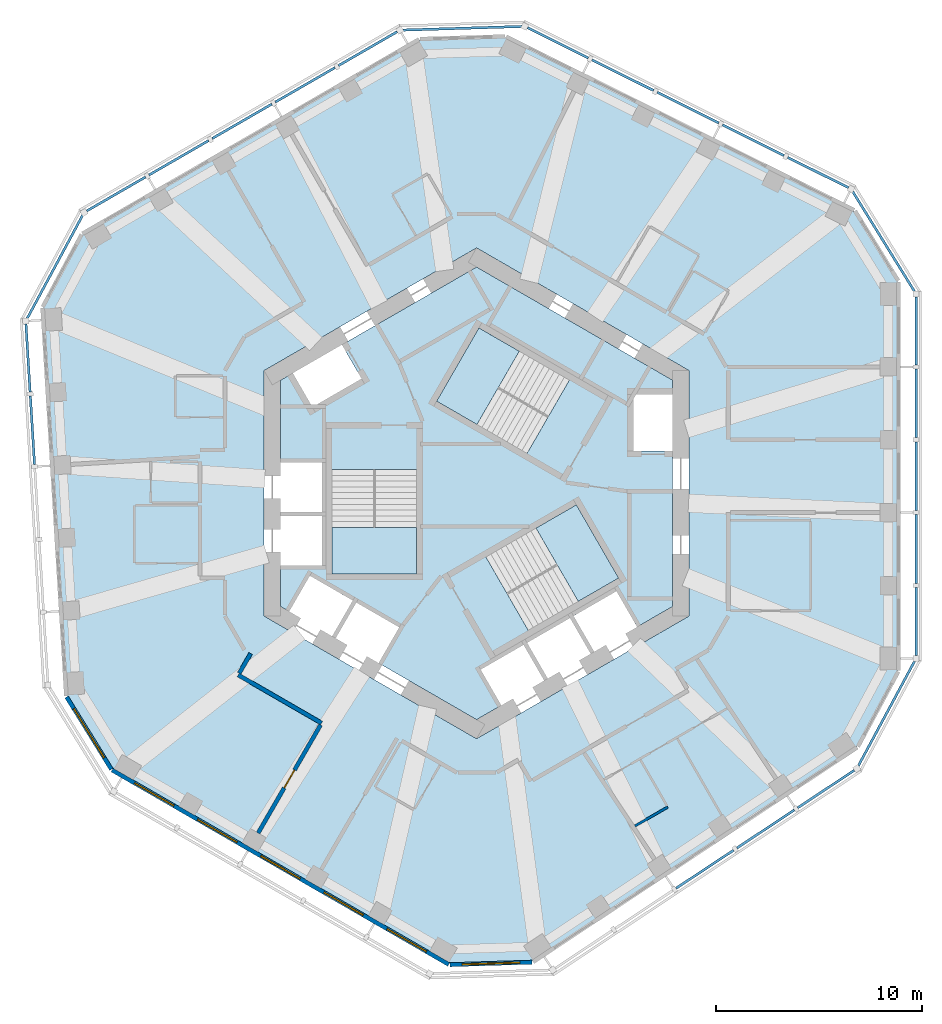
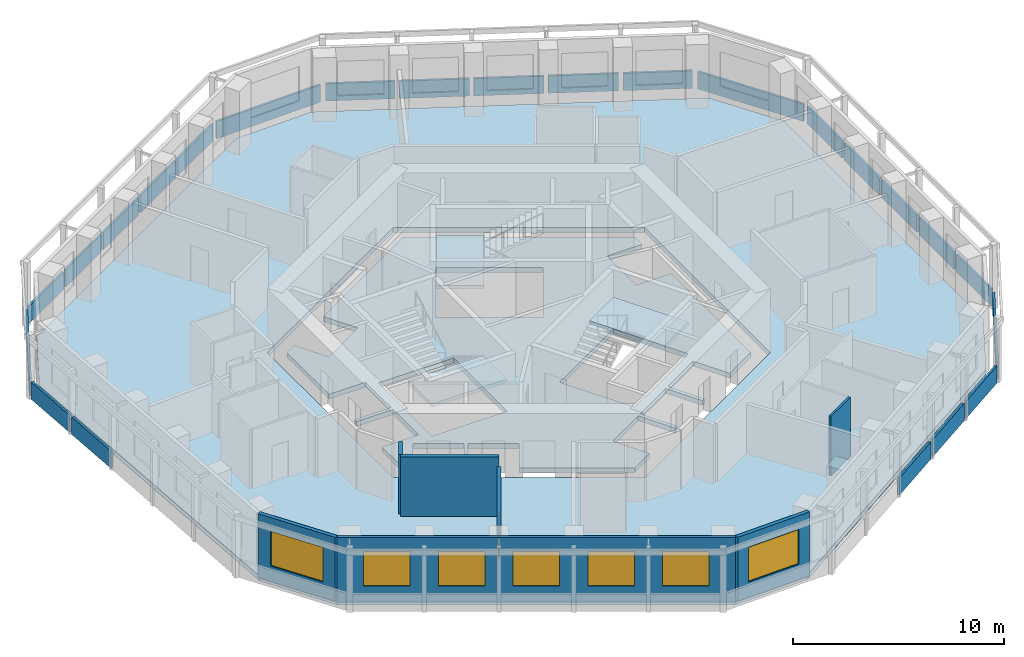
# One storey, part 3 of 11: 24 plates, 7 walls, 7 windows, 5 slabs, 1 door, 8 openings, 12 elements without a shape of their own.
"""IFC4 building model written with IfcOpenShell, lengths in metres."""

from ifc_helpers import new_model, si_unit, direction, frame, frame_2d, origin, origin_2d, place, context, subcontext, project, spatial, polyline, rectangle, outline, extrude, material, layer, layer_set, type_object, element, fill, aggregate, save


model = new_model("IFC4")

# Units and contexts
model_context = context("Model", 3, precision=1e-05, world=origin(), true_north=direction((0.0, 1.0)))
body_context = subcontext(model_context, "Body", "Model", "MODEL_VIEW")
ifc_project = project(units=[si_unit("LENGTHUNIT", "METRE"), si_unit("AREAUNIT", "SQUARE_METRE"), si_unit("VOLUMEUNIT", "CUBIC_METRE"), si_unit("PLANEANGLEUNIT", "RADIAN"), si_unit("MASSUNIT", "GRAM", prefix="KILO")], contexts=[model_context])

# Site, building, storey
site_placement = place(None, origin())
site = spatial("IfcSite", under=ifc_project, at=site_placement, CompositionType="ELEMENT")
building_placement = place(site_placement, origin())
building = spatial("IfcBuilding", under=site, at=building_placement, Name="Vanh Sen Convention Tower", CompositionType="ELEMENT")
storey_placement = place(building_placement, frame((0.0, 0.0, 240.199951171875)))
storey = spatial("IfcBuildingStorey", under=building, at=storey_placement, Name="L59", CompositionType="ELEMENT", Elevation=240.199951171875)

# Slabs
ifc_material_1 = material(Name="Concrete C40/50", Category="concrete")
ifc_layer_1 = layer(ifc_material_1, 0.280029296875)
ifc_layer_set_1 = layer_set([ifc_layer_1], Name="Concrete C40/50")
slab_type_1 = type_object("IfcSlabType", Name="Core slab 280", PredefinedType="FLOOR", material=ifc_layer_set_1)
slab_1_placement = place(storey_placement, frame((0.0, 0.0, -0.280029296875)))
element("IfcSlab", 1, at=slab_1_placement, inside=storey, type_object=slab_type_1, Name="Core slab L59", PredefinedType="FLOOR", context=body_context, shape_type="SweptSolid", body=[
    extrude(outline(polyline([(0.0, 10.9697265625), (9.5, 5.48486328125), (9.5, 4.800048828125), (7.60009765625, 4.800048828125), (7.60009765625, 2.050048828125), (9.5, 2.050048828125), (9.5, -5.48486328125), (7.781005859375, -6.477294921875), (6.781005859375, -4.7451171875), (4.70263671875, -5.9453125), (5.70263671875, -7.67724609375), (5.529296875, -7.777099609375), (4.529296875, -6.045166015625), (2.450927734375, -7.2451171875), (3.450927734375, -8.977294921875), (3.27783203125, -9.0771484375), (2.27783203125, -7.34521484375), (0.19921875, -8.545166015625), (1.19921875, -10.277099609375), (0.0, -10.9697265625), (-4.75, -8.227294921875), (-3.75, -6.4951171875), (-5.82861328125, -5.295166015625), (-6.82861328125, -7.027099609375), (-7.001708984375, -6.92724609375), (-6.001708984375, -5.1953125), (-8.080078125, -3.9951171875), (-9.080078125, -5.727294921875), (-9.5, -5.48486328125), (-9.5, -3.5), (-7.5, -3.5), (-7.5, -1.10009765625), (-9.5, -1.10009765625), (-9.5, -0.89990234375), (-7.5, -0.89990234375), (-7.5, 1.5), (-9.5, 1.5), (-9.5, 5.48486328125), (-8.906982421875, 5.8271484375), (-7.956787109375, 4.181884765625), (-5.575439453125, 5.556884765625), (-6.525390625, 7.2021484375), (0.0, 10.9697265625)]), holes=[polyline([(-7.0, 1.1494140625), (-7.0, -3.909912109375), (-2.89990234375, -3.909912109375), (-2.89990234375, 1.1494140625), (-7.0, 1.1494140625)]), polyline([(2.504638671875, -6.63671875), (6.88623046875, -4.107177734375), (4.836181640625, -0.556396484375), (0.45458984375, -3.086181640625), (2.504638671875, -6.63671875)]), polyline([(0.11376953125, 8.01708984375), (-1.936279296875, 4.466552734375), (2.4453125, 1.936767578125), (4.495361328125, 5.487548828125), (0.11376953125, 8.01708984375)])]), origin(), (0.0, 0.0, 1.0), 0.280029296875),
])
ifc_layer_2 = layer(ifc_material_1, 0.280029296875)
ifc_layer_set_2 = layer_set([ifc_layer_2], Name="Concrete C40/50")
slab_type_2 = type_object("IfcSlabType", Name="Floor slab 280 REI 120", PredefinedType="FLOOR", material=ifc_layer_set_2)
slab_2_placement = place(storey_placement, frame((0.0, 0.0, -0.280029296875)))
element("IfcSlab", 2, at=slab_2_placement, inside=storey, type_object=slab_type_2, Name="Floor slab L59 tower", PredefinedType="FLOOR", context=body_context, shape_type="SweptSolid", body=[
    extrude(outline(polyline([(20.39990234375, -8.602783203125), (20.39990234375, 10.265380859375), (18.289306640625, 13.67626953125), (1.403564453125, 22.09521484375), (-2.749755859375, 21.96826171875), (-19.090087890625, 12.5341796875), (-20.988525390625, 9.000732421875), (-19.8369140625, -9.83203125), (-17.650146484375, -13.365478515625), (-1.309814453125, -22.799560546875), (2.699462890625, -22.677001953125), (18.433349609375, -12.26318359375), (20.39990234375, -8.602783203125)]), holes=[polyline([(0.0, 11.893310546875), (-10.300048828125, 5.94677734375), (-10.300048828125, -5.94677734375), (0.0, -11.893310546875), (10.300048828125, -5.94677734375), (10.300048828125, 5.94677734375), (0.0, 11.893310546875)])]), origin(), (0.0, 0.0, 1.0), 0.280029296875),
])

# Curtain wall, plates
ifc_material_2 = material(Name="Concrete C50/60", Category="concrete")
curtain_wall_type = type_object("IfcCurtainWallType", Name="Outer skin office zone", PredefinedType="NOTDEFINED", material=ifc_material_2)
curtain_wall_1_placement = place(storey_placement, origin())
curtain_wall_1 = element("IfcCurtainWall", 3, at=curtain_wall_1_placement, inside=storey, type_object=curtain_wall_type, Name="OUTER SKIN E L59", PredefinedType="NOTDEFINED")
ifc_layer_3 = layer(ifc_material_2, 0.1201171875)
ifc_layer_set_3 = layer_set([ifc_layer_3], Name="Concrete C50/60")
plate_type = type_object("IfcPlateType", Name="Outer skin precast screen panel 120", PredefinedType="CURTAIN_PANEL", material=ifc_layer_set_3)
plate_1_placement = place(storey_placement, frame((21.300048828125, -6.2109375, 0.0), z_axis=(0.0, 0.0, 1.0), x_axis=(0.0, 1.0, 0.0)))
plate_1 = element("IfcPlate", 4, at=plate_1_placement, type_object=plate_type, Name="OUTER SKIN screen panel E-1", PredefinedType="CURTAIN_PANEL", context=body_context, shape_type="SweptSolid", body=[
    extrude(rectangle(XDim=3.28369140625, YDim=0.1201171875, at=origin_2d()), origin(), (0.0, 0.0, 1.0), 1.0),
])
plate_2_placement = place(storey_placement, frame((21.300048828125, -2.702392578125, 0.0), z_axis=(0.0, 0.0, 1.0), x_axis=(0.0, 1.0, 0.0)))
plate_2 = element("IfcPlate", 5, at=plate_2_placement, type_object=plate_type, Name="OUTER SKIN screen panel E-2", PredefinedType="CURTAIN_PANEL", context=body_context, shape_type="SweptSolid", body=[
    extrude(rectangle(XDim=3.333740234375, YDim=0.1201171875, at=origin_2d()), origin(), (0.0, 0.0, 1.0), 1.0),
])
plate_3_placement = place(storey_placement, frame((21.300048828125, 0.831298828125, 0.0), z_axis=(0.0, 0.0, 1.0), x_axis=(0.0, 1.0, 0.0)))
plate_3 = element("IfcPlate", 6, at=plate_3_placement, type_object=plate_type, Name="OUTER SKIN screen panel E-3", PredefinedType="CURTAIN_PANEL", context=body_context, shape_type="SweptSolid", body=[
    extrude(rectangle(XDim=3.33349609375, YDim=0.1201171875, at=origin_2d()), origin(), (0.0, 0.0, 1.0), 1.0),
])
plate_4_placement = place(storey_placement, frame((21.300048828125, 4.364990234375, 0.0), z_axis=(0.0, 0.0, 1.0), x_axis=(0.0, 1.0, 0.0)))
plate_4 = element("IfcPlate", 7, at=plate_4_placement, type_object=plate_type, Name="OUTER SKIN screen panel E-4", PredefinedType="CURTAIN_PANEL", context=body_context, shape_type="SweptSolid", body=[
    extrude(rectangle(XDim=3.33349609375, YDim=0.1201171875, at=origin_2d()), origin(), (0.0, 0.0, 1.0), 1.0),
])
plate_5_placement = place(storey_placement, frame((21.300048828125, 7.87353515625, 0.0), z_axis=(0.0, 0.0, 1.0), x_axis=(0.0, 1.0, 0.0)))
plate_5 = element("IfcPlate", 8, at=plate_5_placement, type_object=plate_type, Name="OUTER SKIN screen panel E-5", PredefinedType="CURTAIN_PANEL", context=body_context, shape_type="SweptSolid", body=[
    extrude(rectangle(XDim=3.28369140625, YDim=0.1201171875, at=origin_2d()), origin(), (0.0, 0.0, 1.0), 1.0),
])
aggregate(curtain_wall_1, [plate_1, plate_2, plate_3, plate_4, plate_5])

# Curtain wall, plate
curtain_wall_2_placement = place(storey_placement, origin())
curtain_wall_2 = element("IfcCurtainWall", 9, at=curtain_wall_2_placement, inside=storey, type_object=curtain_wall_type, Name="OUTER SKIN CH1 L59", PredefinedType="NOTDEFINED")
plate_6_placement = place(storey_placement, frame((19.726806640625, 12.20751953125, 0.0), z_axis=(0.0, 0.0, 1.0), x_axis=(-0.526216891938, 0.850350388157, 0.0)))
plate_6 = element("IfcPlate", 10, at=plate_6_placement, type_object=plate_type, Name="OUTER SKIN screen panel CH1-1", PredefinedType="CURTAIN_PANEL", context=body_context, shape_type="SweptSolid", body=[
    extrude(rectangle(XDim=5.6787109375, YDim=0.1201171875, at=origin_2d()), origin(), (0.0, 0.0, 1.0), 1.0),
])
aggregate(curtain_wall_2, [plate_6])

# Curtain wall, plates
curtain_wall_3_placement = place(storey_placement, origin())
curtain_wall_3 = element("IfcCurtainWall", 11, at=curtain_wall_3_placement, inside=storey, type_object=curtain_wall_type, Name="OUTER SKIN NE L59", PredefinedType="NOTDEFINED")
plate_7_placement = place(storey_placement, frame((16.55029296875, 15.549072265625, 0.0), z_axis=(0.0, 0.0, 1.0), x_axis=(-0.894930467757, 0.446205622868, 0.0)))
plate_7 = element("IfcPlate", 12, at=plate_7_placement, type_object=plate_type, Name="OUTER SKIN screen panel NE-1", PredefinedType="CURTAIN_PANEL", context=body_context, shape_type="SweptSolid", body=[
    extrude(rectangle(XDim=3.28369140625, YDim=0.1201171875, at=origin_2d()), origin(), (0.0, 0.0, 1.0), 1.0),
])
plate_8_placement = place(storey_placement, frame((13.410400390625, 17.114501953125, 0.0), z_axis=(0.0, 0.0, 1.0), x_axis=(-0.894935919121, 0.446194689197, 0.0)))
plate_8 = element("IfcPlate", 13, at=plate_8_placement, type_object=plate_type, Name="OUTER SKIN screen panel NE-2", PredefinedType="CURTAIN_PANEL", context=body_context, shape_type="SweptSolid", body=[
    extrude(rectangle(XDim=3.333740234375, YDim=0.1201171875, at=origin_2d()), origin(), (0.0, 0.0, 1.0), 1.0),
])
plate_9_placement = place(storey_placement, frame((10.248046875, 18.691162109375, 0.0), z_axis=(0.0, 0.0, 1.0), x_axis=(-0.894935919121, 0.446194689197, 0.0)))
plate_9 = element("IfcPlate", 14, at=plate_9_placement, type_object=plate_type, Name="OUTER SKIN screen panel NE-3", PredefinedType="CURTAIN_PANEL", context=body_context, shape_type="SweptSolid", body=[
    extrude(rectangle(XDim=3.333740234375, YDim=0.1201171875, at=origin_2d()), origin(), (0.0, 0.0, 1.0), 1.0),
])
plate_10_placement = place(storey_placement, frame((7.085693359375, 20.267822265625, 0.0), z_axis=(0.0, 0.0, 1.0), x_axis=(-0.894935919121, 0.446194689197, 0.0)))
plate_10 = element("IfcPlate", 15, at=plate_10_placement, type_object=plate_type, Name="OUTER SKIN screen panel NE-4", PredefinedType="CURTAIN_PANEL", context=body_context, shape_type="SweptSolid", body=[
    extrude(rectangle(XDim=3.333740234375, YDim=0.1201171875, at=origin_2d()), origin(), (0.0, 0.0, 1.0), 1.0),
])
plate_11_placement = place(storey_placement, frame((3.945556640625, 21.83349609375, 0.0), z_axis=(0.0, 0.0, 1.0), x_axis=(-0.894930467757, 0.446205622868, 0.0)))
plate_11 = element("IfcPlate", 16, at=plate_11_placement, type_object=plate_type, Name="OUTER SKIN screen panel NE-5", PredefinedType="CURTAIN_PANEL", context=body_context, shape_type="SweptSolid", body=[
    extrude(rectangle(XDim=3.28369140625, YDim=0.1201171875, at=origin_2d()), origin(), (0.0, 0.0, 1.0), 1.0),
])
aggregate(curtain_wall_3, [plate_7, plate_8, plate_9, plate_10, plate_11])

# Curtain wall, plate
curtain_wall_4_placement = place(storey_placement, origin())
curtain_wall_4 = element("IfcCurtainWall", 17, at=curtain_wall_4_placement, inside=storey, type_object=curtain_wall_type, Name="OUTER SKIN CH2 L59", PredefinedType="NOTDEFINED")
plate_12_placement = place(storey_placement, frame((-0.688720703125, 22.540283203125, 0.0), z_axis=(0.0, 0.0, 1.0), x_axis=(-0.999533430924, -0.030543746755, 0.0)))
plate_12 = element("IfcPlate", 18, at=plate_12_placement, type_object=plate_type, Name="OUTER SKIN screen panel CH2-1", PredefinedType="CURTAIN_PANEL", context=body_context, shape_type="SweptSolid", body=[
    extrude(rectangle(XDim=5.764404296875, YDim=0.1201171875, at=origin_2d()), origin(), (0.0, 0.0, 1.0), 1.0),
])
aggregate(curtain_wall_4, [plate_12])

# Curtain wall, plates
curtain_wall_5_placement = place(storey_placement, origin())
curtain_wall_5 = element("IfcCurtainWall", 19, at=curtain_wall_5_placement, inside=storey, type_object=curtain_wall_type, Name="OUTER SKIN NW L59", PredefinedType="NOTDEFINED")
plate_13_placement = place(storey_placement, frame((-5.271240234375, 21.5517578125, 0.0), z_axis=(0.0, 0.0, 1.0), x_axis=(-0.866026276448, -0.4999984885, 0.0)))
plate_13 = element("IfcPlate", 20, at=plate_13_placement, type_object=plate_type, Name="OUTER SKIN screen panel NW-1", PredefinedType="CURTAIN_PANEL", context=body_context, shape_type="SweptSolid", body=[
    extrude(rectangle(XDim=3.28369140625, YDim=0.1201171875, at=origin_2d()), origin(), (0.0, 0.0, 1.0), 1.0),
])
plate_14_placement = place(storey_placement, frame((-8.309814453125, 19.797607421875, 0.0), z_axis=(0.0, 0.0, 1.0), x_axis=(-0.866026276448, -0.4999984885, 0.0)))
plate_14 = element("IfcPlate", 21, at=plate_14_placement, type_object=plate_type, Name="OUTER SKIN screen panel NW-2", PredefinedType="CURTAIN_PANEL", context=body_context, shape_type="SweptSolid", body=[
    extrude(rectangle(XDim=3.33349609375, YDim=0.1201171875, at=origin_2d()), origin(), (0.0, 0.0, 1.0), 1.0),
])
plate_15_placement = place(storey_placement, frame((-11.369873046875, 18.03076171875, 0.0), z_axis=(0.0, 0.0, 1.0), x_axis=(-0.866026276448, -0.4999984885, 0.0)))
plate_15 = element("IfcPlate", 22, at=plate_15_placement, type_object=plate_type, Name="OUTER SKIN screen panel NW-3", PredefinedType="CURTAIN_PANEL", context=body_context, shape_type="SweptSolid", body=[
    extrude(rectangle(XDim=3.33349609375, YDim=0.1201171875, at=origin_2d()), origin(), (0.0, 0.0, 1.0), 1.0),
])
plate_16_placement = place(storey_placement, frame((-14.43017578125, 16.263916015625, 0.0), z_axis=(0.0, 0.0, 1.0), x_axis=(-0.866014058921, -0.500019649364, 0.0)))
plate_16 = element("IfcPlate", 23, at=plate_16_placement, type_object=plate_type, Name="OUTER SKIN screen panel NW-4", PredefinedType="CURTAIN_PANEL", context=body_context, shape_type="SweptSolid", body=[
    extrude(rectangle(XDim=3.333740234375, YDim=0.1201171875, at=origin_2d()), origin(), (0.0, 0.0, 1.0), 1.0),
])
plate_17_placement = place(storey_placement, frame((-17.46875, 14.509521484375, 0.0), z_axis=(0.0, 0.0, 1.0), x_axis=(-0.866033257659, -0.499986396443, 0.0)))
plate_17 = element("IfcPlate", 24, at=plate_17_placement, type_object=plate_type, Name="OUTER SKIN screen panel NW-5", PredefinedType="CURTAIN_PANEL", context=body_context, shape_type="SweptSolid", body=[
    extrude(rectangle(XDim=3.28369140625, YDim=0.1201171875, at=origin_2d()), origin(), (0.0, 0.0, 1.0), 1.0),
])
aggregate(curtain_wall_5, [plate_13, plate_14, plate_15, plate_16, plate_17])

# Curtain wall, plate
curtain_wall_6_placement = place(storey_placement, origin())
curtain_wall_6 = element("IfcCurtainWall", 25, at=curtain_wall_6_placement, inside=storey, type_object=curtain_wall_type, Name="OUTER SKIN CH3 L59", PredefinedType="NOTDEFINED")
plate_18_placement = place(storey_placement, frame((-20.435302734375, 10.980224609375, 0.0), z_axis=(0.0, 0.0, 1.0), x_axis=(-0.473307367584, -0.880897346909, 0.0)))
plate_18 = element("IfcPlate", 26, at=plate_18_placement, type_object=plate_type, Name="OUTER SKIN screen panel CH3-1", PredefinedType="CURTAIN_PANEL", context=body_context, shape_type="SweptSolid", body=[
    extrude(rectangle(XDim=5.6787109375, YDim=0.1201171875, at=origin_2d()), origin(), (0.0, 0.0, 1.0), 1.0),
])
aggregate(curtain_wall_6, [plate_18])

# Curtain wall, plates
curtain_wall_7_placement = place(storey_placement, origin())
curtain_wall_7 = element("IfcCurtainWall", 27, at=curtain_wall_7_placement, inside=storey, type_object=curtain_wall_type, Name="OUTER SKIN W L59", PredefinedType="NOTDEFINED")
plate_19_placement = place(storey_placement, frame((-21.740966796875, 6.55859375, 0.0), z_axis=(0.0, 0.0, 1.0), x_axis=(0.061043313312, -0.998135118058, 0.0)))
plate_19 = element("IfcPlate", 28, at=plate_19_placement, type_object=plate_type, Name="OUTER SKIN screen panel W-1", PredefinedType="CURTAIN_PANEL", context=body_context, shape_type="SweptSolid", body=[
    extrude(rectangle(XDim=3.28369140625, YDim=0.1201171875, at=origin_2d()), origin(), (0.0, 0.0, 1.0), 1.0),
])
plate_20_placement = place(storey_placement, frame((-21.526611328125, 3.056396484375, 0.0), z_axis=(0.0, 0.0, 1.0), x_axis=(0.061041571238, -0.998135224597, 0.0)))
plate_20 = element("IfcPlate", 29, at=plate_20_placement, type_object=plate_type, Name="OUTER SKIN screen panel W-2", PredefinedType="CURTAIN_PANEL", context=body_context, shape_type="SweptSolid", body=[
    extrude(rectangle(XDim=3.333740234375, YDim=0.1201171875, at=origin_2d()), origin(), (0.0, 0.0, 1.0), 1.0),
])
aggregate(curtain_wall_7, [plate_19, plate_20])

curtain_wall_8_placement = place(storey_placement, origin())
curtain_wall_8 = element("IfcCurtainWall", 30, at=curtain_wall_8_placement, inside=storey, type_object=curtain_wall_type, Name="OUTER SKIN SE L59", PredefinedType="NOTDEFINED")
plate_21_placement = place(storey_placement, frame((11.06298828125, -18.220703125, 0.0), z_axis=(0.0, 0.0, 1.0), x_axis=(0.833896418343, 0.551920975752, 0.0)))
plate_21 = element("IfcPlate", 31, at=plate_21_placement, type_object=plate_type, Name="OUTER SKIN screen panel SE-3", PredefinedType="CURTAIN_PANEL", context=body_context, shape_type="SweptSolid", body=[
    extrude(rectangle(XDim=3.333740234375, YDim=0.1201171875, at=origin_2d()), origin(), (0.0, 0.0, 1.0), 1.0),
])
plate_22_placement = place(storey_placement, frame((14.009765625, -16.270263671875, 0.0), z_axis=(0.0, 0.0, 1.0), x_axis=(0.833874262143, 0.551954450055, 0.0)))
plate_22 = element("IfcPlate", 32, at=plate_22_placement, type_object=plate_type, Name="OUTER SKIN screen panel SE-4", PredefinedType="CURTAIN_PANEL", context=body_context, shape_type="SweptSolid", body=[
    extrude(rectangle(XDim=3.33349609375, YDim=0.1201171875, at=origin_2d()), origin(), (0.0, 0.0, 1.0), 1.0),
])
plate_23_placement = place(storey_placement, frame((16.935546875, -14.333740234375, 0.0), z_axis=(0.0, 0.0, 1.0), x_axis=(0.833896418343, 0.551920975752, 0.0)))
plate_23 = element("IfcPlate", 33, at=plate_23_placement, type_object=plate_type, Name="OUTER SKIN screen panel SE-5", PredefinedType="CURTAIN_PANEL", context=body_context, shape_type="SweptSolid", body=[
    extrude(rectangle(XDim=3.28369140625, YDim=0.1201171875, at=origin_2d()), origin(), (0.0, 0.0, 1.0), 1.0),
])
aggregate(curtain_wall_8, [plate_21, plate_22, plate_23])

# Curtain wall, plate
curtain_wall_9_placement = place(storey_placement, origin())
curtain_wall_9 = element("IfcCurtainWall", 34, at=curtain_wall_9_placement, inside=storey, type_object=curtain_wall_type, Name="OUTER SKIN CH6 L59", PredefinedType="NOTDEFINED")
plate_24_placement = place(storey_placement, frame((19.864990234375, -10.673828125, 0.0), z_axis=(0.0, 0.0, 1.0), x_axis=(0.473313517396, 0.880894042579, 0.0)))
plate_24 = element("IfcPlate", 35, at=plate_24_placement, type_object=plate_type, Name="OUTER SKIN screen panel CH6-1", PredefinedType="CURTAIN_PANEL", context=body_context, shape_type="SweptSolid", body=[
    extrude(rectangle(XDim=5.76416015625, YDim=0.1201171875, at=origin_2d()), origin(), (0.0, 0.0, 1.0), 1.0),
])
aggregate(curtain_wall_9, [plate_24])

# Stair, slab
ifc_material_3 = material(Name="Concrete C50/60", Category="concrete")
stair_type_1 = type_object("IfcStairType", Name="Exit stair ST1 22 risers at 168.2", PredefinedType="HALF_TURN_STAIR", material=ifc_material_3)
stair_1_placement = place(storey_placement, origin())
stair_1 = element("IfcStair", 36, at=stair_1_placement, inside=storey, type_object=stair_type_1, Name="Exit stair ST1 L59", PredefinedType="HALF_TURN_STAIR")
ifc_layer_4 = layer(ifc_material_1, 0.199951171875)
ifc_layer_set_4 = layer_set([ifc_layer_4], Name="Concrete C40/50")
slab_type_3 = type_object("IfcSlabType", Name="Stair landing 200", PredefinedType="LANDING", material=ifc_layer_set_4)
slab_3_placement = place(storey_placement, frame((0.0, 0.0, 1.650146484375)))
slab_3 = element("IfcSlab", 37, at=slab_3_placement, type_object=slab_type_3, Name="ST1 landing 1", PredefinedType="LANDING", context=body_context, shape_type="SweptSolid", body=[
    extrude(outline(polyline([(2.07177734375, 6.88671875), (0.11376953125, 8.01708984375), (-1.936279296875, 4.466552734375), (0.021728515625, 3.336181640625), (2.07177734375, 6.88671875)])), origin(), (0.0, 0.0, 1.0), 0.199951171875),
])
aggregate(stair_1, [slab_3])

stair_type_2 = type_object("IfcStairType", Name="Exit stair ST2 22 risers at 168.2", PredefinedType="HALF_TURN_STAIR", material=ifc_material_3)
stair_2_placement = place(storey_placement, origin())
stair_2 = element("IfcStair", 38, at=stair_2_placement, inside=storey, type_object=stair_type_2, Name="Exit stair ST2 L59", PredefinedType="HALF_TURN_STAIR")
slab_4_placement = place(storey_placement, frame((0.0, 0.0, 1.650146484375)))
slab_4 = element("IfcSlab", 39, at=slab_4_placement, type_object=slab_type_3, Name="ST2 landing 1", PredefinedType="LANDING", context=body_context, shape_type="SweptSolid", body=[
    extrude(outline(polyline([(-7.0, -1.6494140625), (-7.0, -3.909912109375), (-2.89990234375, -3.909912109375), (-2.89990234375, -1.6494140625), (-7.0, -1.6494140625)])), origin(), (0.0, 0.0, 1.0), 0.199951171875),
])
aggregate(stair_2, [slab_4])

stair_type_3 = type_object("IfcStairType", Name="Exit stair ST3 22 risers at 168.2", PredefinedType="HALF_TURN_STAIR", material=ifc_material_3)
stair_3_placement = place(storey_placement, origin())
stair_3 = element("IfcStair", 40, at=stair_3_placement, inside=storey, type_object=stair_type_3, Name="Exit stair ST3 L59", PredefinedType="HALF_TURN_STAIR")
slab_5_placement = place(storey_placement, frame((0.0, 0.0, 1.650146484375)))
slab_5 = element("IfcSlab", 41, at=slab_5_placement, type_object=slab_type_3, Name="ST3 landing 1", PredefinedType="LANDING", context=body_context, shape_type="SweptSolid", body=[
    extrude(outline(polyline([(4.92822265625, -5.237548828125), (6.88623046875, -4.107177734375), (4.836181640625, -0.556396484375), (2.87841796875, -1.686767578125), (4.92822265625, -5.237548828125)])), origin(), (0.0, 0.0, 1.0), 0.199951171875),
])
aggregate(stair_3, [slab_5])

# Walls
ifc_material_4 = material(Name="Moisture-resistant gypsum board on steel studs", Category="steel")
ifc_layer_5 = layer(ifc_material_4, 0.1201171875)
ifc_layer_set_5 = layer_set([ifc_layer_5], Name="Moisture-resistant gypsum board on steel studs")
wall_type_1 = type_object("IfcWallType", Name="Bathroom partition 120", PredefinedType="PARTITIONING", material=ifc_layer_set_5)
wall_1_placement = place(storey_placement, frame((7.67578125, -16.123291015625, 0.0), z_axis=(0.0, 0.0, 1.0), x_axis=(0.866023842607, 0.500002704028, 0.0)))
element("IfcWall", 42, at=wall_1_placement, inside=storey, type_object=wall_type_1, Name="Bathroom partition 120", PredefinedType="PARTITIONING", context=body_context, shape_type="SweptSolid", body=[
    extrude(rectangle(XDim=1.8349609375, YDim=0.1201171875, at=frame_2d((0.91748046875, 0.0))), origin(), (0.0, 0.0, 1.0), 3.420166015625),
])
ifc_material_5 = material(Name="Gypsum board on steel studs with mineral wool", Category="steel")
ifc_layer_6 = layer(ifc_material_5, 0.199951171875)
ifc_layer_set_6 = layer_set([ifc_layer_6], Name="Gypsum board on steel studs with mineral wool")
wall_type_2 = type_object("IfcWallType", Name="Corridor partition wall 200", PredefinedType="PARTITIONING", material=ifc_layer_set_6)
wall_2_placement = place(storey_placement, frame((-11.551025390625, -8.80517578125, 0.0), z_axis=(0.0, 0.0, 1.0), x_axis=(0.866038310922, -0.499977643516, 0.0)))
element("IfcWall", 43, at=wall_2_placement, inside=storey, type_object=wall_type_2, Name="Corridor partition wall 200", PredefinedType="PARTITIONING", context=body_context, shape_type="SweptSolid", body=[
    extrude(rectangle(XDim=4.665283203125, YDim=0.199951171875, at=frame_2d((2.33251953125, 0.0))), origin(), (0.0, 0.0, 1.0), 3.420166015625),
])
wall_3_placement = place(storey_placement, frame((-10.95068359375, -7.764892578125, 0.0), z_axis=(0.0, 0.0, 1.0), x_axis=(-0.499978356969, -0.866037899034, 0.0)))
element("IfcWall", 44, at=wall_3_placement, inside=storey, type_object=wall_type_2, Name="Corridor partition wall 200", PredefinedType="PARTITIONING", context=body_context, shape_type="SweptSolid", body=[
    extrude(rectangle(XDim=1.10107421875, YDim=0.199951171875, at=frame_2d((0.550537109375, 0.0))), origin(), (0.0, 0.0, 1.0), 3.420166015625),
])

# Wall, opening, door
wall_4_placement = place(storey_placement, frame((-10.585205078125, -16.462890625, 0.0), z_axis=(0.0, 0.0, 1.0), x_axis=(0.499993802756, 0.866028981735, 0.0)))
wall_4 = element("IfcWall", 45, at=wall_4_placement, inside=storey, type_object=wall_type_2, Name="Corridor partition wall 200", PredefinedType="PARTITIONING", context=body_context, shape_type="SweptSolid", body=[
    extrude(rectangle(XDim=6.048828125, YDim=0.199951171875, at=frame_2d((3.0244140625, 0.0))), origin(), (0.0, 0.0, 1.0), 2.8701171875),
])
opening_1_placement = place(wall_4_placement, frame((2.5244140625, 0.0, 0.0)))
opening_1 = element("IfcOpeningElement", 46, at=opening_1_placement, cuts=wall_4, Name="Opening D59109", PredefinedType="OPENING", context=body_context, shape_type="SweptSolid", body=[
    extrude(rectangle(XDim=1.0, YDim=2.10009765625, at=frame_2d((0.5, 1.050048828125))), frame((0.0, 0.10986328125, 0.0), z_axis=(0.0, -1.0, 0.0), x_axis=(1.0, 0.0, 0.0)), (0.0, 0.0, 1.0), 0.219970703125),
])
ifc_material_6 = material(Name="Glazed fire door in steel frame", Category="steel")
door_type = type_object("IfcDoorType", Name="Tenant entrance door 1000", OperationType="SINGLE_SWING_LEFT", PredefinedType="DOOR", material=ifc_material_6)
door_placement = place(opening_1_placement, origin())
door = element("IfcDoor", 47, at=door_placement, inside=storey, type_object=door_type, Name="Tenant suite entrance door D59109", OperationType="SINGLE_SWING_LEFT", OverallHeight=2.10009765625, OverallWidth=1.0, PredefinedType="DOOR", context=body_context, shape_type="SweptSolid", body=[
    extrude(rectangle(XDim=1.0, YDim=2.10009765625, at=frame_2d((0.5, 1.050048828125))), frame((0.0, 0.02490234375, 0.0), z_axis=(0.0, -1.0, 0.0), x_axis=(1.0, 0.0, 0.0)), (0.0, 0.0, 1.0), 0.050048828125),
])
fill(opening_1, door)

# Wall, opening, window
ifc_material_7 = material(Name="Insulated lightweight infill wall")
ifc_layer_7 = layer(ifc_material_7, 0.199951171875)
ifc_layer_set_7 = layer_set([ifc_layer_7], Name="Insulated lightweight infill wall")
wall_type_3 = type_object("IfcWallType", Name="External wall 200", PredefinedType="STANDARD", material=ifc_layer_set_7)
wall_5_placement = place(storey_placement, frame((-19.872802734375, -9.869140625, 0.0), z_axis=(0.0, 0.0, 1.0), x_axis=(0.52626914263, -0.850318051975, 0.0)))
wall_5 = element("IfcWall", 48, at=wall_5_placement, inside=storey, type_object=wall_type_3, Name="External wall CH4 L59", PredefinedType="STANDARD", context=body_context, shape_type="SweptSolid", body=[
    extrude(rectangle(XDim=4.130126953125, YDim=0.199951171875, at=frame_2d((2.06494140625, 0.0))), origin(), (0.0, 0.0, 1.0), 3.699951171875),
])
opening_2_placement = place(wall_5_placement, frame((0.6650390625, 0.0, 0.89990234375)))
opening_2 = element("IfcOpeningElement", 49, at=opening_2_placement, cuts=wall_5, Name="Opening WO4-CH41", PredefinedType="OPENING", context=body_context, shape_type="SweptSolid", body=[
    extrude(rectangle(XDim=2.800048828125, YDim=2.0, at=frame_2d((1.39990234375, 1.0))), frame((0.0, 0.10986328125, 0.0), z_axis=(0.0, -1.0, 0.0), x_axis=(1.0, 0.0, 0.0)), (0.0, 0.0, 1.0), 0.219970703125),
])
ifc_material_8 = material(Name="Aluminium frame with clear low-emissivity glass", Category="aluminium")
window_type_1 = type_object("IfcWindowType", Name="Office window 2800 x 2000", PartitioningType="SINGLE_PANEL", PredefinedType="WINDOW", material=ifc_material_8)
window_1_placement = place(opening_2_placement, origin())
window_1 = element("IfcWindow", 50, at=window_1_placement, inside=storey, type_object=window_type_1, Name="Window WO4-CH41", OverallHeight=2.0, OverallWidth=2.800048828125, PartitioningType="SINGLE_PANEL", PredefinedType="WINDOW", context=body_context, shape_type="SweptSolid", body=[
    extrude(rectangle(XDim=2.800048828125, YDim=2.0, at=frame_2d((1.39990234375, 1.0))), frame((0.0, 0.030029296875, 0.0), z_axis=(0.0, -1.0, 0.0), x_axis=(1.0, 0.0, 0.0)), (0.0, 0.0, 1.0), 0.06005859375),
])
fill(opening_2, window_1)

# Wall, openings, windows
wall_6_placement = place(storey_placement, frame((-17.664306640625, -13.4150390625, 0.0), z_axis=(0.0, 0.0, 1.0), x_axis=(0.866026555358, -0.49999800541, 0.0)))
wall_6 = element("IfcWall", 51, at=wall_6_placement, inside=storey, type_object=wall_type_3, Name="External wall SW L59", PredefinedType="STANDARD", context=body_context, shape_type="SweptSolid", body=[
    extrude(rectangle(XDim=18.84130859375, YDim=0.199951171875, at=frame_2d((9.420654296875, 0.0))), origin(), (0.0, 0.0, 1.0), 3.699951171875),
])
opening_3_placement = place(wall_6_placement, frame((1.254150390625, 0.0, 0.89990234375)))
opening_3 = element("IfcOpeningElement", 52, at=opening_3_placement, cuts=wall_6, Name="Opening WO3-SW1", PredefinedType="OPENING", context=body_context, shape_type="SweptSolid", body=[
    extrude(rectangle(XDim=2.199951171875, YDim=2.0, at=frame_2d((1.10009765625, 1.0))), frame((0.0, 0.10986328125, 0.0), z_axis=(0.0, -1.0, 0.0), x_axis=(1.0, 0.0, 0.0)), (0.0, 0.0, 1.0), 0.219970703125),
])
opening_4_placement = place(wall_6_placement, frame((4.787841796875, 0.0, 0.89990234375)))
opening_4 = element("IfcOpeningElement", 53, at=opening_4_placement, cuts=wall_6, Name="Opening WO3-SW2", PredefinedType="OPENING", context=body_context, shape_type="SweptSolid", body=[
    extrude(rectangle(XDim=2.199951171875, YDim=2.0, at=frame_2d((1.10009765625, 1.0))), frame((0.0, 0.10986328125, 0.0), z_axis=(0.0, -1.0, 0.0), x_axis=(1.0, 0.0, 0.0)), (0.0, 0.0, 1.0), 0.219970703125),
])
opening_5_placement = place(wall_6_placement, frame((8.321533203125, 0.0, 0.89990234375)))
opening_5 = element("IfcOpeningElement", 54, at=opening_5_placement, cuts=wall_6, Name="Opening WO3-SW3", PredefinedType="OPENING", context=body_context, shape_type="SweptSolid", body=[
    extrude(rectangle(XDim=2.199951171875, YDim=2.0, at=frame_2d((1.10009765625, 1.0))), frame((0.0, 0.10986328125, 0.0), z_axis=(0.0, -1.0, 0.0), x_axis=(1.0, 0.0, 0.0)), (0.0, 0.0, 1.0), 0.219970703125),
])
opening_6_placement = place(wall_6_placement, frame((11.85498046875, 0.0, 0.89990234375)))
opening_6 = element("IfcOpeningElement", 55, at=opening_6_placement, cuts=wall_6, Name="Opening WO3-SW4", PredefinedType="OPENING", context=body_context, shape_type="SweptSolid", body=[
    extrude(rectangle(XDim=2.199951171875, YDim=2.0, at=frame_2d((1.10009765625, 1.0))), frame((0.0, 0.10986328125, 0.0), z_axis=(0.0, -1.0, 0.0), x_axis=(1.0, 0.0, 0.0)), (0.0, 0.0, 1.0), 0.219970703125),
])
opening_7_placement = place(wall_6_placement, frame((15.388671875, 0.0, 0.89990234375)))
opening_7 = element("IfcOpeningElement", 56, at=opening_7_placement, cuts=wall_6, Name="Opening WO3-SW5", PredefinedType="OPENING", context=body_context, shape_type="SweptSolid", body=[
    extrude(rectangle(XDim=2.199951171875, YDim=2.0, at=frame_2d((1.10009765625, 1.0))), frame((0.0, 0.10986328125, 0.0), z_axis=(0.0, -1.0, 0.0), x_axis=(1.0, 0.0, 0.0)), (0.0, 0.0, 1.0), 0.219970703125),
])
window_type_2 = type_object("IfcWindowType", Name="Office window 2200 x 2000", PartitioningType="SINGLE_PANEL", PredefinedType="WINDOW", material=ifc_material_8)
window_2_placement = place(opening_3_placement, origin())
window_2 = element("IfcWindow", 57, at=window_2_placement, inside=storey, type_object=window_type_2, Name="Window WO3-SW1", OverallHeight=2.0, OverallWidth=2.199951171875, PartitioningType="SINGLE_PANEL", PredefinedType="WINDOW", context=body_context, shape_type="SweptSolid", body=[
    extrude(rectangle(XDim=2.199951171875, YDim=2.0, at=frame_2d((1.10009765625, 1.0))), frame((0.0, 0.030029296875, 0.0), z_axis=(0.0, -1.0, 0.0), x_axis=(1.0, 0.0, 0.0)), (0.0, 0.0, 1.0), 0.06005859375),
])
fill(opening_3, window_2)
window_3_placement = place(opening_4_placement, origin())
window_3 = element("IfcWindow", 58, at=window_3_placement, inside=storey, type_object=window_type_2, Name="Window WO3-SW2", OverallHeight=2.0, OverallWidth=2.199951171875, PartitioningType="SINGLE_PANEL", PredefinedType="WINDOW", context=body_context, shape_type="SweptSolid", body=[
    extrude(rectangle(XDim=2.199951171875, YDim=2.0, at=frame_2d((1.10009765625, 1.0))), frame((0.0, 0.030029296875, 0.0), z_axis=(0.0, -1.0, 0.0), x_axis=(1.0, 0.0, 0.0)), (0.0, 0.0, 1.0), 0.06005859375),
])
fill(opening_4, window_3)
window_4_placement = place(opening_5_placement, origin())
window_4 = element("IfcWindow", 59, at=window_4_placement, inside=storey, type_object=window_type_2, Name="Window WO3-SW3", OverallHeight=2.0, OverallWidth=2.199951171875, PartitioningType="SINGLE_PANEL", PredefinedType="WINDOW", context=body_context, shape_type="SweptSolid", body=[
    extrude(rectangle(XDim=2.199951171875, YDim=2.0, at=frame_2d((1.10009765625, 1.0))), frame((0.0, 0.030029296875, 0.0), z_axis=(0.0, -1.0, 0.0), x_axis=(1.0, 0.0, 0.0)), (0.0, 0.0, 1.0), 0.06005859375),
])
fill(opening_5, window_4)
window_5_placement = place(opening_6_placement, origin())
window_5 = element("IfcWindow", 60, at=window_5_placement, inside=storey, type_object=window_type_2, Name="Window WO3-SW4", OverallHeight=2.0, OverallWidth=2.199951171875, PartitioningType="SINGLE_PANEL", PredefinedType="WINDOW", context=body_context, shape_type="SweptSolid", body=[
    extrude(rectangle(XDim=2.199951171875, YDim=2.0, at=frame_2d((1.10009765625, 1.0))), frame((0.0, 0.030029296875, 0.0), z_axis=(0.0, -1.0, 0.0), x_axis=(1.0, 0.0, 0.0)), (0.0, 0.0, 1.0), 0.06005859375),
])
fill(opening_6, window_5)
window_6_placement = place(opening_7_placement, origin())
window_6 = element("IfcWindow", 61, at=window_6_placement, inside=storey, type_object=window_type_2, Name="Window WO3-SW5", OverallHeight=2.0, OverallWidth=2.199951171875, PartitioningType="SINGLE_PANEL", PredefinedType="WINDOW", context=body_context, shape_type="SweptSolid", body=[
    extrude(rectangle(XDim=2.199951171875, YDim=2.0, at=frame_2d((1.10009765625, 1.0))), frame((0.0, 0.030029296875, 0.0), z_axis=(0.0, -1.0, 0.0), x_axis=(1.0, 0.0, 0.0)), (0.0, 0.0, 1.0), 0.06005859375),
])
fill(opening_7, window_6)

# Wall, opening, window
wall_7_placement = place(storey_placement, frame((-1.294189453125, -22.84912109375, 0.0), z_axis=(0.0, 0.0, 1.0), x_axis=(0.999533952558, 0.030526671678, 0.0)))
wall_7 = element("IfcWall", 62, at=wall_7_placement, inside=storey, type_object=wall_type_3, Name="External wall CH5 L59", PredefinedType="STANDARD", context=body_context, shape_type="SweptSolid", body=[
    extrude(rectangle(XDim=3.98291015625, YDim=0.199951171875, at=frame_2d((1.991455078125, 0.0))), origin(), (0.0, 0.0, 1.0), 3.699951171875),
])
opening_8_placement = place(wall_7_placement, frame((0.59130859375, 0.0, 0.89990234375)))
opening_8 = element("IfcOpeningElement", 63, at=opening_8_placement, cuts=wall_7, Name="Opening WO4-CH51", PredefinedType="OPENING", context=body_context, shape_type="SweptSolid", body=[
    extrude(rectangle(XDim=2.800048828125, YDim=2.0, at=frame_2d((1.39990234375, 1.0))), frame((0.0, 0.10986328125, 0.0), z_axis=(0.0, -1.0, 0.0), x_axis=(1.0, 0.0, 0.0)), (0.0, 0.0, 1.0), 0.219970703125),
])
window_7_placement = place(opening_8_placement, origin())
window_7 = element("IfcWindow", 64, at=window_7_placement, inside=storey, type_object=window_type_1, Name="Window WO4-CH51", OverallHeight=2.0, OverallWidth=2.800048828125, PartitioningType="SINGLE_PANEL", PredefinedType="WINDOW", context=body_context, shape_type="SweptSolid", body=[
    extrude(rectangle(XDim=2.800048828125, YDim=2.0, at=frame_2d((1.39990234375, 1.0))), frame((0.0, 0.030029296875, 0.0), z_axis=(0.0, -1.0, 0.0), x_axis=(1.0, 0.0, 0.0)), (0.0, 0.0, 1.0), 0.06005859375),
])
fill(opening_8, window_7)

save(model, "model.ifc")
